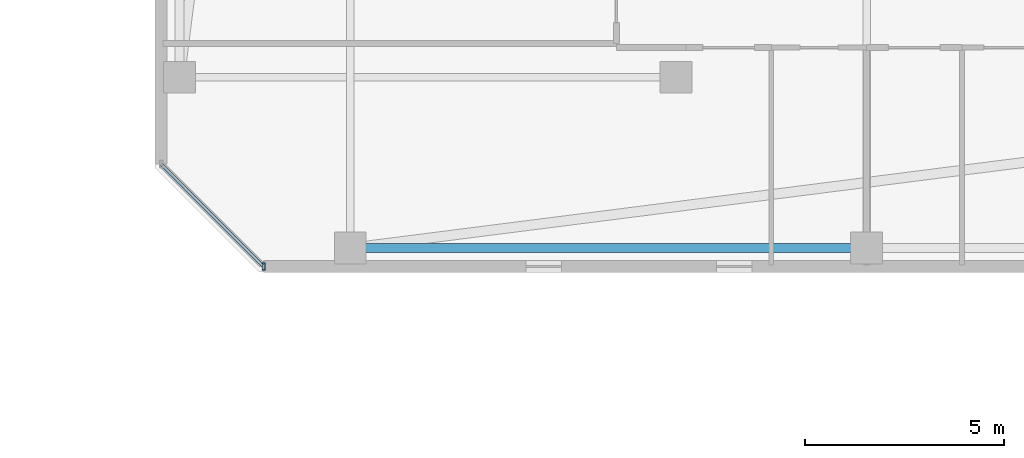
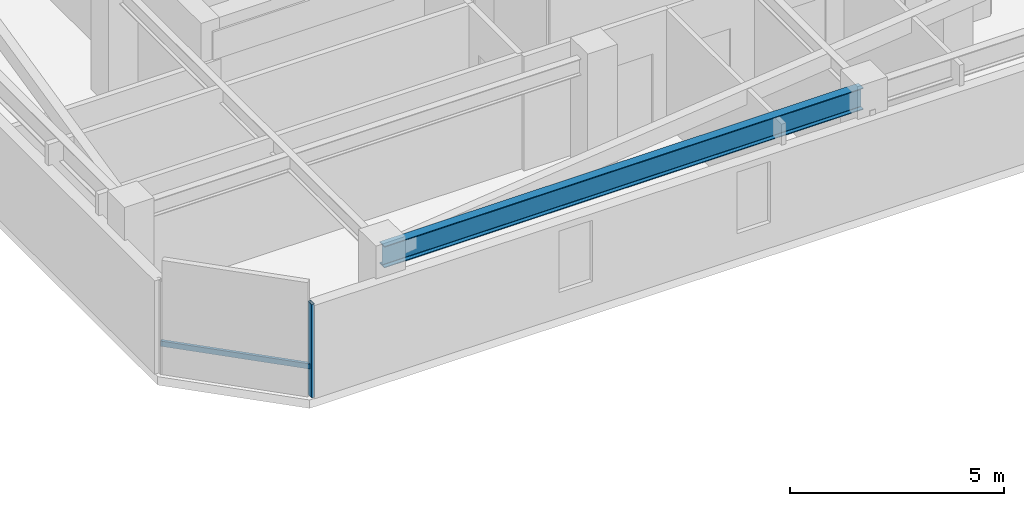
# One storey, part 14 of 35: 2 members, 1 beam, 1 element without a shape of its own.
"""IFC4 building model written with IfcOpenShell, lengths in metres."""

from ifc_helpers import new_model, si_unit, direction, frame, origin, origin_2d, place, context, subcontext, project, spatial, hollow_rectangle, i_section, extrude, material, material_profile, profile_set, type_object, element, aggregate, save


model = new_model("IFC4")

# Units and contexts
model_context = context("Model", 3, precision=1e-05, world=origin(), true_north=direction((0.0, 1.0)))
body_context = subcontext(model_context, "Body", "Model", "MODEL_VIEW")
ifc_project = project(units=[si_unit("LENGTHUNIT", "METRE"), si_unit("AREAUNIT", "SQUARE_METRE"), si_unit("VOLUMEUNIT", "CUBIC_METRE"), si_unit("PLANEANGLEUNIT", "RADIAN"), si_unit("MASSUNIT", "GRAM", prefix="KILO")], contexts=[model_context])

# Site, building, storey
site_placement = place(None, origin())
site = spatial("IfcSite", under=ifc_project, at=site_placement, CompositionType="ELEMENT")
building_placement = place(site_placement, origin())
building = spatial("IfcBuilding", under=site, at=building_placement, Name="Thornwick Lancets Civic Towers", CompositionType="ELEMENT")
storey_placement = place(building_placement, frame((0.0, 0.0, 276.300048828125)))
storey = spatial("IfcBuildingStorey", under=building, at=storey_placement, Name="L74", CompositionType="ELEMENT", Elevation=276.300048828125)

# Beam
ifc_material_1 = material(Name="Steel S355JR", Category="steel")
ifc_material_profile_1 = material_profile(ifc_material_1, i_section(OverallWidth=0.230224609375, OverallDepth=0.6171875, WebThickness=0.01318359375, FlangeThickness=0.022216796875, FilletRadius=0.0126953125, at=origin_2d()), Name="UKB 610x229x140")
ifc_profile_set_1 = profile_set([ifc_material_profile_1], Name="Steel S355JR")
beam_type = type_object("IfcBeamType", Name="BM_GIRD_610_140", PredefinedType="BEAM", material=ifc_profile_set_1)
beam_placement = place(storey_placement, frame((88.419921875, 9.699951171875, 2.971435546875), z_axis=(-1.0, 0.0, 0.0), x_axis=(0.0, -1.0, 0.0)))
element("IfcBeam", 1, at=beam_placement, inside=storey, type_object=beam_type, Name="BM-SPINE-L74-B-10-11", PredefinedType="BEAM", context=body_context, shape_type="SweptSolid", body=[
    extrude(i_section(OverallWidth=0.230224609375, OverallDepth=0.6171875, WebThickness=0.01318359375, FlangeThickness=0.022216796875, FilletRadius=0.0126953125, at=origin_2d()), origin(), (0.0, 0.0, 1.0), 12.919921875),
])

# Curtain wall, members
ifc_material_2 = material(Name="High-zone chamfered-corner unitised glass curtain wall", Category="glass")
curtain_wall_type = type_object("IfcCurtainWallType", Name="CW_SYS_05", PredefinedType="NOTDEFINED", material=ifc_material_2)
curtain_wall_placement = place(storey_placement, origin())
curtain_wall = element("IfcCurtainWall", 2, at=curtain_wall_placement, inside=storey, type_object=curtain_wall_type, Name="L74 Curtain Wall CW-L74-B-E7", PredefinedType="NOTDEFINED")
ifc_material_3 = material(Name="Thermally broken bronze aluminium S355", Category="steel")
ifc_material_profile_2 = material_profile(ifc_material_3, hollow_rectangle(XDim=0.074951171875, YDim=0.179931640625, WallThickness=0.006103515625, at=origin_2d()), Name="RHS 180x75x6")
ifc_profile_set_2 = profile_set([ifc_material_profile_2], Name="Thermally broken bronze aluminium S355")
member_type_1 = type_object("IfcMemberType", Name="CW_MUL_180", PredefinedType="MULLION", material=ifc_profile_set_2)
member_1_placement = place(storey_placement, frame((73.318603515625, 9.2353515625, 0.0), z_axis=(0.0, 0.0, 1.0), x_axis=(1.0, 0.0, 0.0)))
member_1 = element("IfcMember", 3, at=member_1_placement, type_object=member_type_1, Name="CW-L74-B-E7 Mullion 1", PredefinedType="MULLION", context=body_context, shape_type="SweptSolid", body=[
    extrude(hollow_rectangle(XDim=0.074951171875, YDim=0.179931640625, WallThickness=0.006103515625, at=origin_2d()), origin(), (0.0, 0.0, 1.0), 2.659912109375),
])
ifc_material_profile_3 = material_profile(ifc_material_3, hollow_rectangle(XDim=0.074951171875, YDim=0.14990234375, WallThickness=0.0048828125, at=origin_2d()), Name="RHS 150x75x5")
ifc_profile_set_3 = profile_set([ifc_material_profile_3], Name="Thermally broken bronze aluminium S355")
member_type_2 = type_object("IfcMemberType", Name="CW_TRN_150", PredefinedType="USERDEFINED", material=ifc_profile_set_3)
member_2_placement = place(storey_placement, frame((70.74951171875, 11.804443359375, 0.849853515625), z_axis=(0.707106781187, -0.707106781187, 0.0), x_axis=(0.707106781187, 0.707106781187, 0.0)))
member_2 = element("IfcMember", 4, at=member_2_placement, type_object=member_type_2, Name="CW-L74-B-E7 Transom 0", ObjectType="TRANSOM", PredefinedType="USERDEFINED", context=body_context, shape_type="SweptSolid", body=[
    extrude(hollow_rectangle(XDim=0.074951171875, YDim=0.14990234375, WallThickness=0.0048828125, at=origin_2d()), origin(), (0.0, 0.0, 1.0), 3.61328125),
])
aggregate(curtain_wall, [member_1, member_2])

save(model, "model.ifc")
